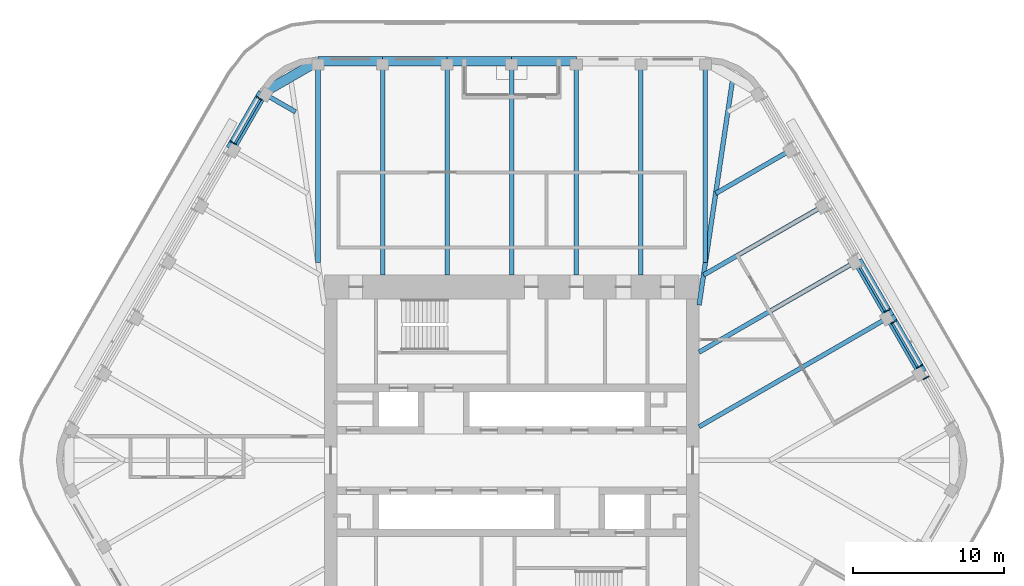
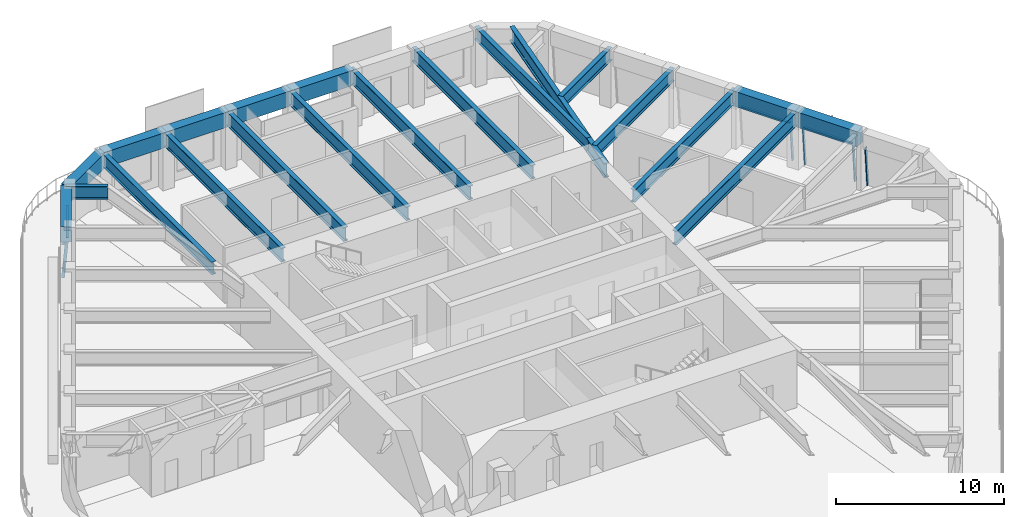
# One storey, part 9 of 19: 21 beams, 9 members, 4 elements without a shape of their own.
"""IFC4 building model written with IfcOpenShell, lengths in metres."""

from ifc_helpers import new_model, si_unit, direction, frame, origin, origin_2d, place, context, subcontext, project, spatial, rectangle, i_section, extrude, material, material_profile, profile_set, type_object, element, aggregate, save


model = new_model("IFC4")

# Units and contexts
model_context = context("Model", 3, precision=1e-05, world=origin(), true_north=direction((0.0, 1.0)))
body_context = subcontext(model_context, "Body", "Model", "MODEL_VIEW")
ifc_project = project(units=[si_unit("LENGTHUNIT", "METRE"), si_unit("AREAUNIT", "SQUARE_METRE"), si_unit("VOLUMEUNIT", "CUBIC_METRE"), si_unit("PLANEANGLEUNIT", "RADIAN"), si_unit("MASSUNIT", "GRAM", prefix="KILO")], contexts=[model_context])

# Site, building, storey
site_placement = place(None, origin())
site = spatial("IfcSite", under=ifc_project, at=site_placement, CompositionType="ELEMENT")
building_placement = place(site_placement, origin())
building = spatial("IfcBuilding", under=site, at=building_placement, Name="Tarfa Lantern Tower", CompositionType="ELEMENT")
storey_placement = place(building_placement, frame((0.0, 0.0, 387.10009765625)))
storey = spatial("IfcBuildingStorey", under=building, at=storey_placement, Name="L88", CompositionType="ELEMENT", Elevation=387.10009765625)

# Curtain wall, member
ifc_material_1 = material(Name="Aluminium framed curtain wall", Category="aluminium")
curtain_wall_type = type_object("IfcCurtainWallType", Name="CW4 CANTED GLAZING EXECUTIVE ZONE 2900", PredefinedType="USERDEFINED", material=ifc_material_1)
curtain_wall_1_placement = place(storey_placement, origin())
curtain_wall_1 = element("IfcCurtainWall", 1, at=curtain_wall_1_placement, inside=storey, type_object=curtain_wall_type, Name="CW4 NE L88", ObjectType="CURTAIN WALL", PredefinedType="USERDEFINED")
ifc_material_2 = material(Name="Aluminium mullion", Category="aluminium")
ifc_material_profile_1 = material_profile(ifc_material_2, rectangle(XDim=0.06494140625, YDim=0.199951171875, at=origin_2d()), Name="AL MULLION 65x200")
ifc_profile_set_1 = profile_set([ifc_material_profile_1], Name="Aluminium mullion")
member_type_1 = type_object("IfcMemberType", Name="CWM1 MULLION 65x200", PredefinedType="MULLION", material=ifc_profile_set_1)
member_1_placement = place(storey_placement, frame((27.577880859375, 5.53369140625, 0.0), z_axis=(-0.074399820079, -0.042945555672, 0.996303340364), x_axis=(0.499919672301, -0.866071776036, 0.0)))
member_1 = element("IfcMember", 2, at=member_1_placement, type_object=member_type_1, Name="CW4 mullion 2", PredefinedType="MULLION", context=body_context, shape_type="SweptSolid", body=[
    extrude(rectangle(XDim=0.06494140625, YDim=0.199951171875, at=origin_2d()), origin(), (0.0, 0.0, 1.0), 2.91064453125),
])
aggregate(curtain_wall_1, [member_1])

# Curtain wall, members
curtain_wall_2_placement = place(storey_placement, origin())
curtain_wall_2 = element("IfcCurtainWall", 3, at=curtain_wall_2_placement, inside=storey, type_object=curtain_wall_type, Name="CW4 NE L88", ObjectType="CURTAIN WALL", PredefinedType="USERDEFINED")
member_2_placement = place(storey_placement, frame((27.145263671875, 6.282958984375, 0.0), z_axis=(-0.074316405553, -0.042945823525, 0.996309554359), x_axis=(0.500342721131, -0.865827443207, 0.0)))
member_2 = element("IfcMember", 4, at=member_2_placement, type_object=member_type_1, Name="CW4 mullion 1", PredefinedType="MULLION", context=body_context, shape_type="SweptSolid", body=[
    extrude(rectangle(XDim=0.06494140625, YDim=0.199951171875, at=origin_2d()), origin(), (0.0, 0.0, 1.0), 2.91064453125),
])
member_3_placement = place(storey_placement, frame((25.436767578125, 9.2421875, 0.0), z_axis=(-0.074399820079, -0.042945555672, 0.996303340364), x_axis=(0.499919672301, -0.866071776036, 0.0)))
member_3 = element("IfcMember", 5, at=member_3_placement, type_object=member_type_1, Name="CW4 mullion 2", PredefinedType="MULLION", context=body_context, shape_type="SweptSolid", body=[
    extrude(rectangle(XDim=0.06494140625, YDim=0.199951171875, at=origin_2d()), origin(), (0.0, 0.0, 1.0), 2.91064453125),
])

# Curtain wall, member
curtain_wall_3_placement = place(storey_placement, origin())
curtain_wall_3 = element("IfcCurtainWall", 6, at=curtain_wall_3_placement, inside=storey, type_object=curtain_wall_type, Name="CW4 NE L88", ObjectType="CURTAIN WALL", PredefinedType="USERDEFINED")
member_4_placement = place(storey_placement, frame((25.00439453125, 9.9912109375, 0.0), z_axis=(-0.074399820079, -0.042945555672, 0.996303340364), x_axis=(0.499919672301, -0.866071776036, 0.0)))
member_4 = element("IfcMember", 7, at=member_4_placement, type_object=member_type_1, Name="CW4 mullion 1", PredefinedType="MULLION", context=body_context, shape_type="SweptSolid", body=[
    extrude(rectangle(XDim=0.06494140625, YDim=0.199951171875, at=origin_2d()), origin(), (0.0, 0.0, 1.0), 2.91064453125),
])

# Curtain wall, members
curtain_wall_4_placement = place(storey_placement, origin())
curtain_wall_4 = element("IfcCurtainWall", 8, at=curtain_wall_4_placement, inside=storey, type_object=curtain_wall_type, Name="CW4 NW L88", ObjectType="CURTAIN WALL", PredefinedType="USERDEFINED")
member_5_placement = place(storey_placement, frame((-16.872802734375, 24.075439453125, 0.0), z_axis=(0.074399820079, -0.042945555672, 0.996303340364), x_axis=(0.499919672301, 0.866071776036, 0.0)))
member_5 = element("IfcMember", 9, at=member_5_placement, type_object=member_type_1, Name="CW4 mullion 1", PredefinedType="MULLION", context=body_context, shape_type="SweptSolid", body=[
    extrude(rectangle(XDim=0.06494140625, YDim=0.199951171875, at=origin_2d()), origin(), (0.0, 0.0, 1.0), 2.91064453125),
])
member_6_placement = place(storey_placement, frame((-18.581298828125, 21.1162109375, 0.0), z_axis=(0.074399820079, -0.042945555672, 0.996303340364), x_axis=(0.499919672301, 0.866071776036, 0.0)))
member_6 = element("IfcMember", 10, at=member_6_placement, type_object=member_type_1, Name="CW4 mullion 2", PredefinedType="MULLION", context=body_context, shape_type="SweptSolid", body=[
    extrude(rectangle(XDim=0.06494140625, YDim=0.199951171875, at=origin_2d()), origin(), (0.0, 0.0, 1.0), 2.91064453125),
])

# Member
ifc_material_3 = material(Name="Aluminium transom", Category="aluminium")
ifc_material_profile_2 = material_profile(ifc_material_3, rectangle(XDim=0.14990234375, YDim=0.06494140625, at=origin_2d()), Name="AL TRANSOM 150x65")
ifc_profile_set_2 = profile_set([ifc_material_profile_2], Name="Aluminium transom")
member_type_2 = type_object("IfcMemberType", Name="CWT1 TRANSOM 150x65", PredefinedType="USERDEFINED", material=ifc_profile_set_2)
member_7_placement = place(storey_placement, frame((26.9150390625, 6.1875, 2.867431640625), z_axis=(-0.500016677412, 0.866015774862, 0.0), x_axis=(-0.866015774862, -0.500016677412, 0.0)))
member_7 = element("IfcMember", 11, at=member_7_placement, type_object=member_type_2, Name="CW4 transom 1.2", ObjectType="TRANSOM", PredefinedType="USERDEFINED", context=body_context, shape_type="SweptSolid", body=[
    extrude(rectangle(XDim=0.14990234375, YDim=0.06494140625, at=origin_2d()), origin(), (0.0, 0.0, 1.0), 3.35205078125),
])

aggregate(curtain_wall_2, [member_2, member_3, member_7])

member_8_placement = place(storey_placement, frame((24.77392578125, 9.895751953125, 2.867431640625), z_axis=(-0.500016677412, 0.866015774862, 0.0), x_axis=(-0.866015774862, -0.500016677412, 0.0)))
member_8 = element("IfcMember", 12, at=member_8_placement, type_object=member_type_2, Name="CW4 transom 1.2", ObjectType="TRANSOM", PredefinedType="USERDEFINED", context=body_context, shape_type="SweptSolid", body=[
    extrude(rectangle(XDim=0.14990234375, YDim=0.06494140625, at=origin_2d()), origin(), (0.0, 0.0, 1.0), 3.35205078125),
])

aggregate(curtain_wall_3, [member_4, member_8])

member_9_placement = place(storey_placement, frame((-16.675048828125, 23.923583984375, 2.867431640625), z_axis=(-0.500016677412, -0.866015774862, 0.0), x_axis=(0.866015774862, -0.500016677412, 0.0)))
member_9 = element("IfcMember", 13, at=member_9_placement, type_object=member_type_2, Name="CW4 transom 1.2", ObjectType="TRANSOM", PredefinedType="USERDEFINED", context=body_context, shape_type="SweptSolid", body=[
    extrude(rectangle(XDim=0.14990234375, YDim=0.06494140625, at=origin_2d()), origin(), (0.0, 0.0, 1.0), 3.35205078125),
])

aggregate(curtain_wall_4, [member_5, member_6, member_9])

# Beams
ifc_material_4 = material(Name="Concrete C80/95", Category="concrete")
ifc_material_profile_3 = material_profile(ifc_material_4, rectangle(XDim=0.64990234375, YDim=1.10009765625, at=origin_2d()), Name="RC 650x1100")
ifc_profile_set_3 = profile_set([ifc_material_profile_3], Name="Concrete C80/95")
beam_type_1 = type_object("IfcBeamType", Name="EB4 RC 650x1100", PredefinedType="SPANDREL", material=ifc_profile_set_3)
beam_1_placement = place(storey_placement, frame((27.205810546875, 5.818359375, 3.449951171875), z_axis=(-0.500026801138, 0.866009929587, 0.0), x_axis=(-0.866009929587, -0.500026801138, 0.0)))
element("IfcBeam", 14, at=beam_1_placement, inside=storey, type_object=beam_type_1, Name="Edge beam NE1", PredefinedType="SPANDREL", context=body_context, shape_type="SweptSolid", body=[
    extrude(rectangle(XDim=0.64990234375, YDim=1.10009765625, at=origin_2d()), origin(), (0.0, 0.0, 1.0), 4.281982421875),
])
beam_2_placement = place(storey_placement, frame((25.064697265625, 9.526611328125, 3.449951171875), z_axis=(-0.500002112793, 0.866024183959, 0.0), x_axis=(-0.866024183959, -0.500002112793, 0.0)))
element("IfcBeam", 15, at=beam_2_placement, inside=storey, type_object=beam_type_1, Name="Edge beam NE2", PredefinedType="SPANDREL", context=body_context, shape_type="SweptSolid", body=[
    extrude(rectangle(XDim=0.64990234375, YDim=1.10009765625, at=origin_2d()), origin(), (0.0, 0.0, 1.0), 4.2822265625),
])
for number, where, z_axis, x_axis, name in (
    (16, (4.281982421875, 26.469970703125, 3.449951171875), (-1.0, 0.0, 0.0), (0.0, -1.0, 0.0), "Edge beam N2"),
    (17, (0.0, 26.469970703125, 3.449951171875), (-1.0, 0.0, 0.0), (0.0, -1.0, 0.0), "Edge beam N3"),
    (18, (-4.281982421875, 26.469970703125, 3.449951171875), (-1.0, 0.0, 0.0), (0.0, -1.0, 0.0), "Edge beam N4"),
    (19, (-8.56396484375, 26.469970703125, 3.449951171875), (-1.0, 0.0, 0.0), (0.0, -1.0, 0.0), "Edge beam N5"),
):
    element("IfcBeam", number, at=place(storey_placement, frame(where, z_axis=z_axis, x_axis=x_axis)), inside=storey, type_object=beam_type_1, Name=name, PredefinedType="SPANDREL", context=body_context, shape_type="SweptSolid", body=[
        extrude(rectangle(XDim=0.64990234375, YDim=1.10009765625, at=origin_2d()), origin(), (0.0, 0.0, 1.0), 4.281982421875),
    ])
beam_3_placement = place(storey_placement, frame((-12.845947265625, 26.469970703125, 3.449951171875), z_axis=(-0.866048788483, -0.499959494327, 0.0), x_axis=(0.499959494327, -0.866048788483, 0.0)))
element("IfcBeam", 20, at=beam_3_placement, inside=storey, type_object=beam_type_1, Name="Edge beam N6", PredefinedType="SPANDREL", context=body_context, shape_type="SweptSolid", body=[
    extrude(rectangle(XDim=0.64990234375, YDim=1.10009765625, at=origin_2d()), origin(), (0.0, 0.0, 1.0), 4.219970703125),
])
beam_4_placement = place(storey_placement, frame((-16.500732421875, 24.360107421875, 3.449951171875), z_axis=(-0.499959351497, -0.866048870937, 0.0), x_axis=(0.866048870937, -0.499959351497, 0.0)))
element("IfcBeam", 21, at=beam_4_placement, inside=storey, type_object=beam_type_1, Name="Edge beam NW0", PredefinedType="SPANDREL", context=body_context, shape_type="SweptSolid", body=[
    extrude(rectangle(XDim=0.64990234375, YDim=1.10009765625, at=origin_2d()), origin(), (0.0, 0.0, 1.0), 4.281982421875),
])
ifc_material_5 = material(Name="Steel S460M", Category="steel")
ifc_material_profile_4 = material_profile(ifc_material_5, i_section(OverallWidth=0.302001953125, OverallDepth=1.008056640625, WebThickness=0.02099609375, FlangeThickness=0.0400390625, FilletRadius=0.030029296875, at=origin_2d()), Name="UB1016x305x349")
ifc_profile_set_4 = profile_set([ifc_material_profile_4], Name="Steel S460M")
beam_type_2 = type_object("IfcBeamType", Name="UB1016x305x349", PredefinedType="BEAM", material=ifc_profile_set_4)
beam_5_placement = place(storey_placement, frame((25.064697265625, 9.526611328125, 3.495849609375), z_axis=(-0.866029591389, -0.499992746786, 0.0), x_axis=(0.499992746786, -0.866029591389, 0.0)))
element("IfcBeam", 22, at=beam_5_placement, inside=storey, type_object=beam_type_2, Name="Floor beam NE2", PredefinedType="BEAM", context=body_context, shape_type="SweptSolid", body=[
    extrude(i_section(OverallWidth=0.302001953125, OverallDepth=1.008056640625, WebThickness=0.02099609375, FlangeThickness=0.0400390625, FilletRadius=0.030029296875, at=origin_2d()), origin(), (0.0, 0.0, 1.0), 14.594970703125),
])
for number, where, z_axis, x_axis, name in (
    (23, (8.56396484375, 26.469970703125, 3.495849609375), (0.0, -1.0, 0.0), (1.0, 0.0, 0.0), "Floor beam N1"),
    (24, (4.281982421875, 26.469970703125, 3.495849609375), (0.0, -1.0, 0.0), (1.0, 0.0, 0.0), "Floor beam N2"),
    (25, (0.0, 26.469970703125, 3.495849609375), (0.0, -1.0, 0.0), (1.0, 0.0, 0.0), "Floor beam N3"),
    (26, (-4.281982421875, 26.469970703125, 3.495849609375), (0.0, -1.0, 0.0), (1.0, 0.0, 0.0), "Floor beam N4"),
    (27, (-8.56396484375, 26.469970703125, 3.495849609375), (0.0, -1.0, 0.0), (1.0, 0.0, 0.0), "Floor beam N5"),
):
    element("IfcBeam", number, at=place(storey_placement, frame(where, z_axis=z_axis, x_axis=x_axis)), inside=storey, type_object=beam_type_2, Name=name, PredefinedType="BEAM", context=body_context, shape_type="SweptSolid", body=[
        extrude(i_section(OverallWidth=0.302001953125, OverallDepth=1.008056640625, WebThickness=0.02099609375, FlangeThickness=0.0400390625, FilletRadius=0.030029296875, at=origin_2d()), origin(), (0.0, 0.0, 1.0), 14.169921875),
    ])
ifc_material_profile_5 = material_profile(ifc_material_5, i_section(OverallWidth=0.30859375, OverallDepth=1.036376953125, WebThickness=0.030029296875, FlangeThickness=0.05419921875, FilletRadius=0.030029296875, at=origin_2d()), Name="UB1016x305x487")
ifc_profile_set_5 = profile_set([ifc_material_profile_5], Name="Steel S460M")
beam_type_3 = type_object("IfcBeamType", Name="UB1016x305x487", PredefinedType="BEAM", material=ifc_profile_set_5)
beam_6_placement = place(storey_placement, frame((12.425048828125, 10.300048828125, 3.481689453125), z_axis=(0.147127069073, 0.989117599452, 0.0), x_axis=(-0.989117599452, 0.147127069073, 0.0)))
element("IfcBeam", 28, at=beam_6_placement, inside=storey, type_object=beam_type_3, Name="Hip girder NE", PredefinedType="BEAM", context=body_context, shape_type="SweptSolid", body=[
    extrude(i_section(OverallWidth=0.30859375, OverallDepth=1.036376953125, WebThickness=0.030029296875, FlangeThickness=0.05419921875, FilletRadius=0.030029296875, at=origin_2d()), origin(), (0.0, 0.0, 1.0), 15.28125),
])
ifc_material_profile_6 = material_profile(ifc_material_5, i_section(OverallWidth=0.305419921875, OverallDepth=0.91845703125, WebThickness=0.017333984375, FlangeThickness=0.02783203125, FilletRadius=0.01904296875, at=origin_2d()), Name="UB914x305x253")
ifc_profile_set_6 = profile_set([ifc_material_profile_6], Name="Steel S460M")
beam_type_4 = type_object("IfcBeamType", Name="UB914x305x253", PredefinedType="BEAM", material=ifc_profile_set_6)
beam_7_placement = place(storey_placement, frame((22.923583984375, 13.235107421875, 3.540771484375), z_axis=(-0.86601856927, -0.500011837539, 0.0), x_axis=(0.500011837539, -0.86601856927, 0.0)))
element("IfcBeam", 29, at=beam_7_placement, inside=storey, type_object=beam_type_4, Name="Floor beam NE3", PredefinedType="BEAM", context=body_context, shape_type="SweptSolid", body=[
    extrude(i_section(OverallWidth=0.305419921875, OverallDepth=0.91845703125, WebThickness=0.017333984375, FlangeThickness=0.02783203125, FilletRadius=0.01904296875, at=origin_2d()), origin(), (0.0, 0.0, 1.0), 12.122802734375),
])
beam_8_placement = place(storey_placement, frame((20.78271484375, 16.943359375, 3.540771484375), z_axis=(-0.866021806508, -0.500006230613, 0.0), x_axis=(0.500006230613, -0.866021806508, 0.0)))
element("IfcBeam", 30, at=beam_8_placement, inside=storey, type_object=beam_type_4, Name="Floor beam NE4", PredefinedType="BEAM", context=body_context, shape_type="SweptSolid", body=[
    extrude(i_section(OverallWidth=0.305419921875, OverallDepth=0.91845703125, WebThickness=0.017333984375, FlangeThickness=0.02783203125, FilletRadius=0.01904296875, at=origin_2d()), origin(), (0.0, 0.0, 1.0), 9.30908203125),
])
beam_9_placement = place(storey_placement, frame((18.6416015625, 20.651611328125, 3.540771484375), z_axis=(-0.866024549157, -0.500001480256, 0.0), x_axis=(0.500001480256, -0.866024549157, 0.0)))
element("IfcBeam", 31, at=beam_9_placement, inside=storey, type_object=beam_type_4, Name="Floor beam NE5", PredefinedType="BEAM", context=body_context, shape_type="SweptSolid", body=[
    extrude(i_section(OverallWidth=0.305419921875, OverallDepth=0.91845703125, WebThickness=0.017333984375, FlangeThickness=0.02783203125, FilletRadius=0.01904296875, at=origin_2d()), origin(), (0.0, 0.0, 1.0), 5.90771484375),
])
for number, where, z_axis, x_axis, name in (
    (32, (12.845947265625, 26.469970703125, 3.540771484375), (0.0, -1.0, 0.0), (1.0, 0.0, 0.0), "Floor beam N0"),
    (33, (-12.845947265625, 26.469970703125, 3.540771484375), (0.0, -1.0, 0.0), (1.0, 0.0, 0.0), "Floor beam N6"),
):
    element("IfcBeam", number, at=place(storey_placement, frame(where, z_axis=z_axis, x_axis=x_axis)), inside=storey, type_object=beam_type_4, Name=name, PredefinedType="BEAM", context=body_context, shape_type="SweptSolid", body=[
        extrude(i_section(OverallWidth=0.305419921875, OverallDepth=0.91845703125, WebThickness=0.017333984375, FlangeThickness=0.02783203125, FilletRadius=0.01904296875, at=origin_2d()), origin(), (0.0, 0.0, 1.0), 13.33935546875),
    ])
beam_10_placement = place(storey_placement, frame((-16.500732421875, 24.360107421875, 3.540771484375), z_axis=(0.865992557167, -0.500056887695, 0.0), x_axis=(0.500056887695, 0.865992557167, 0.0)))
element("IfcBeam", 34, at=beam_10_placement, inside=storey, type_object=beam_type_4, Name="Floor beam NW0", PredefinedType="BEAM", context=body_context, shape_type="SweptSolid", body=[
    extrude(i_section(OverallWidth=0.305419921875, OverallDepth=0.91845703125, WebThickness=0.017333984375, FlangeThickness=0.02783203125, FilletRadius=0.01904296875, at=origin_2d()), origin(), (0.0, 0.0, 1.0), 2.506591796875),
])

save(model, "model.ifc")
